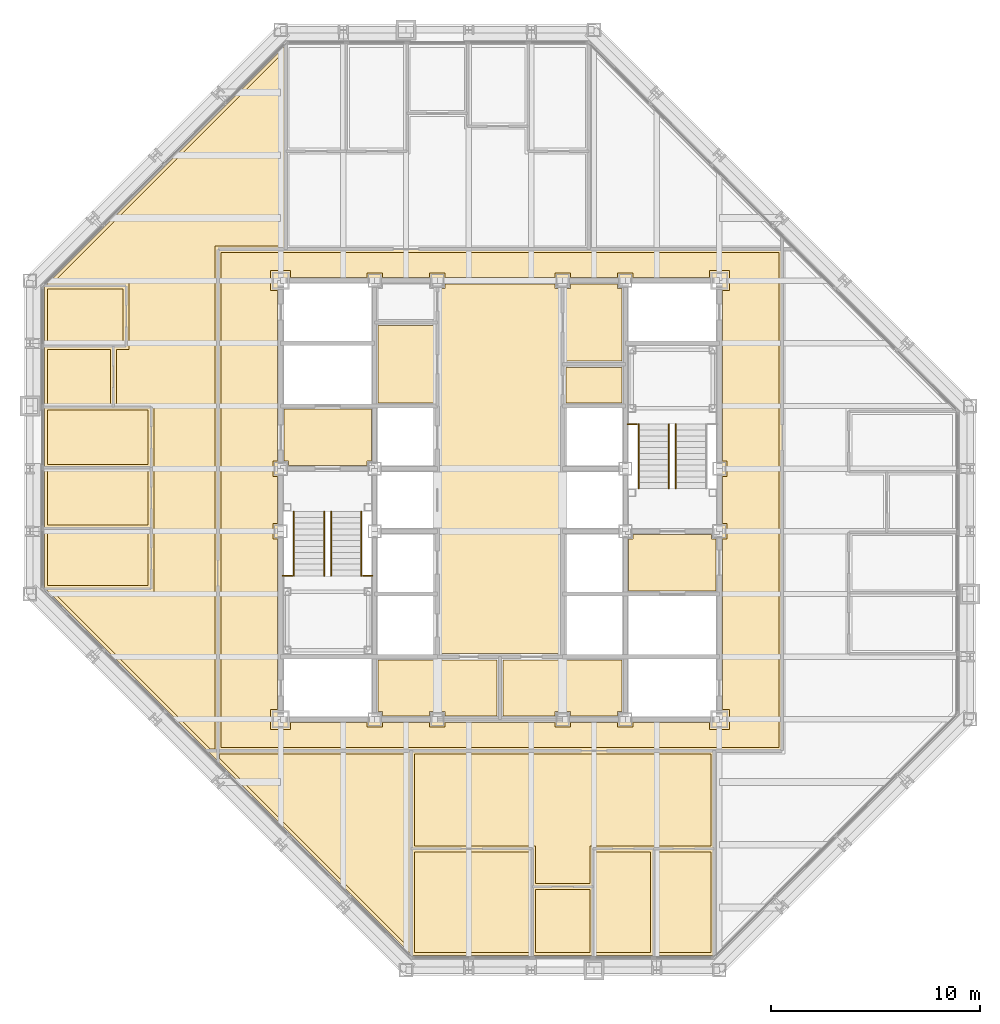
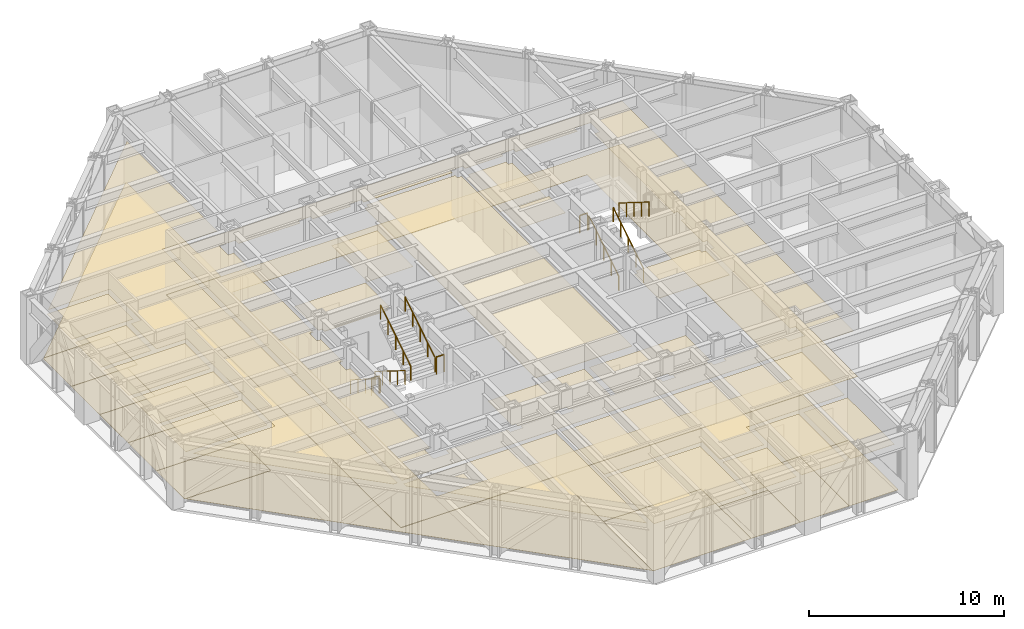
# One storey, part 15 of 16: 33 coverings, 10 railings.
"""IFC4 building model written with IfcOpenShell, lengths in metres."""

from ifc_helpers import new_model, si_unit, direction, frame, origin, origin_2d, place, context, subcontext, project, spatial, polyline, circle, outline, extrude, material, layer, layer_set, type_object, element, save


model = new_model("IFC4")

# Units and contexts
model_context = context("Model", 3, precision=1e-05, world=origin(), true_north=direction((0.0, 1.0)))
body_context = subcontext(model_context, "Body", "Model", "MODEL_VIEW")
ifc_project = project(units=[si_unit("LENGTHUNIT", "METRE"), si_unit("AREAUNIT", "SQUARE_METRE"), si_unit("VOLUMEUNIT", "CUBIC_METRE"), si_unit("PLANEANGLEUNIT", "RADIAN"), si_unit("MASSUNIT", "GRAM", prefix="KILO")], contexts=[model_context])

# Site, building, storey
site_placement = place(None, origin())
site = spatial("IfcSite", under=ifc_project, at=site_placement, CompositionType="ELEMENT")
building_placement = place(site_placement, origin())
building = spatial("IfcBuilding", under=site, at=building_placement, Name="Chuquiago Exchange Tower", CompositionType="ELEMENT")
storey_placement = place(building_placement, frame((0.0, 0.0, 201.300048828125)))
storey = spatial("IfcBuildingStorey", under=building, at=storey_placement, Name="L44", CompositionType="ELEMENT", Elevation=201.300048828125)

# Coverings
ifc_material_1 = material(Name="Mineral fibre tile, 600 x 600, on pale metal grid", Category="mineral fibre")
ifc_layer_1 = layer(ifc_material_1, 0.02001953125)
ifc_layer_set_1 = layer_set([ifc_layer_1], Name="CL1 suspended tile ceiling 20")
covering_type_1 = type_object("IfcCoveringType", Name="CL1 suspended tile ceiling 20", PredefinedType="CEILING", material=ifc_layer_set_1)
covering_1_placement = place(storey_placement, frame((0.0, 0.0, 2.800048828125)))
element("IfcCovering", 1, at=covering_1_placement, inside=storey, type_object=covering_type_1, Name="Ceiling Meeting room", PredefinedType="CEILING", context=body_context, shape_type="SweptSolid", body=[
    extrude(outline(polyline([(18.3984375, 5.64990234375), (23.899658203125, 5.64990234375), (23.899658203125, 0.85009765625), (18.3984375, 0.85009765625), (18.3984375, 5.64990234375)])), origin(), (0.0, 0.0, 1.0), 0.02001953125),
])
covering_2_placement = place(storey_placement, frame((0.0, 0.0, 2.800048828125)))
element("IfcCovering", 2, at=covering_2_placement, inside=storey, type_object=covering_type_1, Name="Ceiling Focus room", PredefinedType="CEILING", context=body_context, shape_type="SweptSolid", body=[
    extrude(outline(polyline([(24.19970703125, 3.85009765625), (26.80029296875, 3.85009765625), (26.80029296875, 0.85009765625), (24.19970703125, 0.85009765625), (24.19970703125, 3.85009765625)])), origin(), (0.0, 0.0, 1.0), 0.02001953125),
])
covering_3_placement = place(storey_placement, frame((0.0, 0.0, 2.800048828125)))
element("IfcCovering", 3, at=covering_3_placement, inside=storey, type_object=covering_type_1, Name="Ceiling Office", PredefinedType="CEILING", context=body_context, shape_type="SweptSolid", body=[
    extrude(outline(polyline([(27.100341796875, 5.64990234375), (29.700927734375, 5.64990234375), (29.700927734375, 0.85009765625), (27.100341796875, 0.85009765625), (27.100341796875, 5.64990234375)])), origin(), (0.0, 0.0, 1.0), 0.02001953125),
])
covering_4_placement = place(storey_placement, frame((0.0, 0.0, 2.800048828125)))
element("IfcCovering", 4, at=covering_4_placement, inside=storey, type_object=covering_type_1, Name="Ceiling Office", PredefinedType="CEILING", context=body_context, shape_type="SweptSolid", body=[
    extrude(outline(polyline([(30.0009765625, 0.85009765625), (30.0009765625, 5.64990234375), (32.6015625, 5.64990234375), (32.6015625, 0.85009765625), (30.0009765625, 0.85009765625)])), origin(), (0.0, 0.0, 1.0), 0.02001953125),
])
covering_5_placement = place(storey_placement, frame((0.0, 0.0, 2.800048828125)))
element("IfcCovering", 5, at=covering_5_placement, inside=storey, type_object=covering_type_1, Name="Ceiling Meeting room", PredefinedType="CEILING", context=body_context, shape_type="SweptSolid", body=[
    extrude(outline(polyline([(0.85009765625, 20.9990234375), (5.64990234375, 20.9990234375), (5.64990234375, 18.3984375), (0.85009765625, 18.3984375), (0.85009765625, 20.9990234375)])), origin(), (0.0, 0.0, 1.0), 0.02001953125),
])
covering_6_placement = place(storey_placement, frame((0.0, 0.0, 2.800048828125)))
element("IfcCovering", 6, at=covering_6_placement, inside=storey, type_object=covering_type_1, Name="Ceiling Office", PredefinedType="CEILING", context=body_context, shape_type="SweptSolid", body=[
    extrude(outline(polyline([(5.64990234375, 23.899658203125), (5.64990234375, 21.299072265625), (0.85009765625, 21.299072265625), (0.85009765625, 23.899658203125), (5.64990234375, 23.899658203125)])), origin(), (0.0, 0.0, 1.0), 0.02001953125),
])
covering_7_placement = place(storey_placement, frame((0.0, 0.0, 2.800048828125)))
element("IfcCovering", 7, at=covering_7_placement, inside=storey, type_object=covering_type_1, Name="Ceiling Office", PredefinedType="CEILING", context=body_context, shape_type="SweptSolid", body=[
    extrude(outline(polyline([(5.64990234375, 26.80029296875), (5.64990234375, 24.19970703125), (0.85009765625, 24.19970703125), (0.85009765625, 26.80029296875), (5.64990234375, 26.80029296875)])), origin(), (0.0, 0.0, 1.0), 0.02001953125),
])
covering_8_placement = place(storey_placement, frame((0.0, 0.0, 2.800048828125)))
element("IfcCovering", 8, at=covering_8_placement, inside=storey, type_object=covering_type_1, Name="Ceiling Focus room", PredefinedType="CEILING", context=body_context, shape_type="SweptSolid", body=[
    extrude(outline(polyline([(3.85009765625, 29.700927734375), (3.85009765625, 27.100341796875), (0.85009765625, 27.100341796875), (0.85009765625, 29.700927734375), (3.85009765625, 29.700927734375)])), origin(), (0.0, 0.0, 1.0), 0.02001953125),
])
covering_9_placement = place(storey_placement, frame((0.0, 0.0, 2.800048828125)))
element("IfcCovering", 9, at=covering_9_placement, inside=storey, type_object=covering_type_1, Name="Ceiling Pantry", PredefinedType="CEILING", context=body_context, shape_type="SweptSolid", body=[
    extrude(outline(polyline([(4.449951171875, 32.6015625), (4.449951171875, 30.0009765625), (0.85009765625, 30.0009765625), (0.85009765625, 32.6015625), (4.449951171875, 32.6015625)])), origin(), (0.0, 0.0, 1.0), 0.02001953125),
])
covering_10_placement = place(storey_placement, frame((0.0, 0.0, 2.800048828125)))
element("IfcCovering", 10, at=covering_10_placement, inside=storey, type_object=covering_type_1, Name="Ceiling Open office south suite", PredefinedType="CEILING", context=body_context, shape_type="SweptSolid", body=[
    extrude(outline(polyline([(26.80029296875, 5.949951171875), (26.80029296875, 4.14990234375), (24.19970703125, 4.14990234375), (24.19970703125, 5.949951171875), (18.39892578125, 5.949951171875), (18.39892578125, 10.349609375), (32.60107421875, 10.349609375), (32.60107421875, 5.949951171875), (26.80029296875, 5.949951171875)])), origin(), (0.0, 0.0, 1.0), 0.02001953125),
])
covering_11_placement = place(storey_placement, frame((0.0, 0.0, 2.800048828125)))
element("IfcCovering", 11, at=covering_11_placement, inside=storey, type_object=covering_type_1, Name="Ceiling Open office west suite", PredefinedType="CEILING", context=body_context, shape_type="SweptSolid", body=[
    extrude(outline(polyline([(5.949951171875, 18.098388671875), (5.949951171875, 27.100341796875), (4.14990234375, 27.100341796875), (4.14990234375, 29.700927734375), (4.75, 29.700927734375), (4.75, 32.901611328125), (1.103515625, 32.901611328125), (12.097900390625, 43.89599609375), (12.097900390625, 34.650390625), (8.849609375, 34.64990234375), (8.849609375, 10.5849609375), (8.616943359375, 10.5849609375), (1.103515625, 18.098388671875), (5.949951171875, 18.098388671875)])), origin(), (0.0, 0.0, 1.0), 0.02001953125),
])
covering_12_placement = place(storey_placement, frame((0.0, 0.0, 2.800048828125)))
element("IfcCovering", 12, at=covering_12_placement, inside=storey, type_object=covering_type_1, Name="Ceiling Open office west suite", PredefinedType="CEILING", context=body_context, shape_type="SweptSolid", body=[
    extrude(outline(polyline([(18.097900390625, 10.349609375), (18.097900390625, 1.10400390625), (9.0849609375, 10.116943359375), (9.0849609375, 10.35009765625), (18.097900390625, 10.349609375)])), origin(), (0.0, 0.0, 1.0), 0.02001953125),
])
covering_13_placement = place(storey_placement, frame((0.0, 0.0, 2.800048828125)))
element("IfcCovering", 13, at=covering_13_placement, inside=storey, type_object=covering_type_1, Name="Ceiling Tenant corridor", PredefinedType="CEILING", context=body_context, shape_type="SweptSolid", body=[
    extrude(outline(polyline([(9.14990234375, 34.35009765625), (35.85009765625, 34.35009765625), (35.85009765625, 10.64990234375), (9.14990234375, 10.64990234375), (9.14990234375, 34.35009765625)]), holes=[polyline([(11.85009765625, 24.375), (11.625, 24.375), (11.625, 23.625), (11.85009765625, 23.625), (11.85009765625, 21.375), (11.625, 21.375), (11.625, 20.625), (11.85009765625, 20.625), (11.85009765625, 12.47509765625), (11.52490234375, 12.47509765625), (11.52490234375, 11.52490234375), (12.47509765625, 11.52490234375), (12.47509765625, 11.85009765625), (16.125, 11.85009765625), (16.125, 11.625), (16.875, 11.625), (16.875, 11.85009765625), (19.125, 11.85009765625), (19.125, 11.625), (19.875, 11.625), (19.875, 11.85009765625), (25.125, 11.85009765625), (25.125, 11.625), (25.875, 11.625), (25.875, 11.85009765625), (28.125, 11.85009765625), (28.125, 11.625), (28.875, 11.625), (28.875, 11.85009765625), (32.52490234375, 11.85009765625), (32.52490234375, 11.52490234375), (33.47509765625, 11.52490234375), (33.47509765625, 12.47509765625), (33.14990234375, 12.47509765625), (33.14990234375, 20.625), (33.375, 20.625), (33.375, 21.375), (33.14990234375, 21.375), (33.14990234375, 23.625), (33.375, 23.625), (33.375, 24.375), (33.14990234375, 24.375), (33.14990234375, 32.52490234375), (33.47509765625, 32.52490234375), (33.47509765625, 33.47509765625), (32.52490234375, 33.47509765625), (32.52490234375, 33.14990234375), (28.875, 33.14990234375), (28.875, 33.375), (28.125, 33.375), (28.125, 33.14990234375), (25.875, 33.14990234375), (25.875, 33.375), (25.125, 33.375), (25.125, 33.14990234375), (19.875, 33.14990234375), (19.875, 33.375), (19.125, 33.375), (19.125, 33.14990234375), (16.875, 33.14990234375), (16.875, 33.375), (16.125, 33.375), (16.125, 33.14990234375), (12.47509765625, 33.14990234375), (12.47509765625, 33.47509765625), (11.52490234375, 33.47509765625), (11.52490234375, 32.52490234375), (11.85009765625, 32.52490234375), (11.85009765625, 24.375)])]), origin(), (0.0, 0.0, 1.0), 0.02001953125),
])
covering_14_placement = place(storey_placement, frame((0.0, 0.0, 2.800048828125)))
element("IfcCovering", 14, at=covering_14_placement, inside=storey, type_object=covering_type_1, Name="Ceiling First aid room", PredefinedType="CEILING", context=body_context, shape_type="SweptSolid", body=[
    extrude(outline(polyline([(25.64990234375, 27.14990234375), (25.64990234375, 28.85009765625), (28.35009765625, 28.85009765625), (28.35009765625, 27.14990234375), (25.64990234375, 27.14990234375)])), origin(), (0.0, 0.0, 1.0), 0.02001953125),
])
ifc_material_2 = material(Name="Moisture resistant plasterboard on metal frame", Category="gypsum")
ifc_layer_2 = layer(ifc_material_2, 0.014892578125)
ifc_layer_set_2 = layer_set([ifc_layer_2], Name="CL2 moisture resistant ceiling 15")
covering_type_2 = type_object("IfcCoveringType", Name="CL2 moisture resistant ceiling 15", PredefinedType="CEILING", material=ifc_layer_set_2)
covering_15_placement = place(storey_placement, frame((0.0, 0.0, 2.599853515625)))
element("IfcCovering", 15, at=covering_15_placement, inside=storey, type_object=covering_type_2, Name="Ceiling Male WC", PredefinedType="CEILING", context=body_context, shape_type="SweptSolid", body=[
    extrude(outline(polyline([(16.64990234375, 27.14990234375), (16.64990234375, 30.85009765625), (19.35009765625, 30.85009765625), (19.35009765625, 27.14990234375), (16.64990234375, 27.14990234375)])), origin(), (0.0, 0.0, 1.0), 0.01513671875),
])
covering_16_placement = place(storey_placement, frame((0.0, 0.0, 2.599853515625)))
element("IfcCovering", 16, at=covering_16_placement, inside=storey, type_object=covering_type_2, Name="Ceiling Female WC", PredefinedType="CEILING", context=body_context, shape_type="SweptSolid", body=[
    extrude(outline(polyline([(25.64990234375, 29.14990234375), (25.64990234375, 32.625), (25.875, 32.625), (25.875, 32.85009765625), (28.125, 32.85009765625), (28.125, 32.625), (28.35009765625, 32.625), (28.35009765625, 29.14990234375), (25.64990234375, 29.14990234375)])), origin(), (0.0, 0.0, 1.0), 0.01513671875),
])
covering_17_placement = place(storey_placement, frame((0.0, 0.0, 2.599853515625)))
element("IfcCovering", 17, at=covering_17_placement, inside=storey, type_object=covering_type_2, Name="Ceiling Accessible WC", PredefinedType="CEILING", context=body_context, shape_type="SweptSolid", body=[
    extrude(outline(polyline([(25.875, 12.14990234375), (25.875, 12.375), (25.125, 12.375), (25.125, 12.14990234375), (22.64990234375, 12.14990234375), (22.64990234375, 14.85009765625), (28.35009765625, 14.85009765625), (28.35009765625, 12.375), (28.125, 12.375), (28.125, 12.14990234375), (25.875, 12.14990234375)])), origin(), (0.0, 0.0, 1.0), 0.01513671875),
])
covering_18_placement = place(storey_placement, frame((0.0, 0.0, 2.599853515625)))
element("IfcCovering", 18, at=covering_18_placement, inside=storey, type_object=covering_type_2, Name="Ceiling Cleaner", PredefinedType="CEILING", context=body_context, shape_type="SweptSolid", body=[
    extrude(outline(polyline([(19.875, 12.14990234375), (19.875, 12.375), (19.125, 12.375), (19.125, 12.14990234375), (16.875, 12.14990234375), (16.875, 12.375), (16.64990234375, 12.375), (16.64990234375, 14.85009765625), (22.35009765625, 14.85009765625), (22.35009765625, 12.14990234375), (19.875, 12.14990234375)])), origin(), (0.0, 0.0, 1.0), 0.01513671875),
])
ifc_material_3 = material(Name="Pale metal plank ceiling, perforated", Category="aluminium")
ifc_layer_3 = layer(ifc_material_3, 0.030029296875)
ifc_layer_set_3 = layer_set([ifc_layer_3], Name="CL3 metal plank ceiling 30")
covering_type_3 = type_object("IfcCoveringType", Name="CL3 metal plank ceiling 30", PredefinedType="CEILING", material=ifc_layer_set_3)
covering_19_placement = place(storey_placement, frame((0.0, 0.0, 2.800048828125)))
element("IfcCovering", 19, at=covering_19_placement, inside=storey, type_object=covering_type_3, Name="Ceiling Lift lobby", PredefinedType="CEILING", context=body_context, shape_type="SweptSolid", body=[
    extrude(outline(polyline([(19.64990234375, 15.14990234375), (19.64990234375, 32.625), (19.875, 32.625), (19.875, 32.85009765625), (25.125, 32.85009765625), (25.125, 32.625), (25.35009765625, 32.625), (25.35009765625, 15.14990234375), (19.64990234375, 15.14990234375)])), origin(), (0.0, 0.0, 1.0), 0.02978515625),
])
covering_20_placement = place(storey_placement, frame((0.0, 0.0, 2.800048828125)))
element("IfcCovering", 20, at=covering_20_placement, inside=storey, type_object=covering_type_3, Name="Ceiling Firefighting lobby", PredefinedType="CEILING", context=body_context, shape_type="SweptSolid", body=[
    extrude(outline(polyline([(12.375, 24.14990234375), (12.375, 24.375), (12.14990234375, 24.375), (12.14990234375, 26.85009765625), (16.35009765625, 26.85009765625), (16.35009765625, 24.375), (16.125, 24.375), (16.125, 24.14990234375), (12.375, 24.14990234375)])), origin(), (0.0, 0.0, 1.0), 0.02978515625),
])
covering_21_placement = place(storey_placement, frame((0.0, 0.0, 2.800048828125)))
element("IfcCovering", 21, at=covering_21_placement, inside=storey, type_object=covering_type_3, Name="Ceiling Firefighting lobby", PredefinedType="CEILING", context=body_context, shape_type="SweptSolid", body=[
    extrude(outline(polyline([(28.64990234375, 18.14990234375), (28.64990234375, 20.625), (28.875, 20.625), (28.875, 20.85009765625), (32.625, 20.85009765625), (32.625, 20.625), (32.85009765625, 20.625), (32.85009765625, 18.14990234375), (28.64990234375, 18.14990234375)])), origin(), (0.0, 0.0, 1.0), 0.02978515625),
])
ifc_material_4 = material(Name="Carpet tile, 500 x 500, on the floor slab", Category="textile")
ifc_layer_4 = layer(ifc_material_4, 0.010009765625)
ifc_layer_set_4 = layer_set([ifc_layer_4], Name="FL1 carpet tile 10")
covering_type_4 = type_object("IfcCoveringType", Name="FL1 carpet tile 10", PredefinedType="FLOORING", material=ifc_layer_set_4)
covering_22_placement = place(storey_placement, origin())
element("IfcCovering", 22, at=covering_22_placement, inside=storey, type_object=covering_type_4, Name="Floor finish Meeting room", PredefinedType="FLOORING", context=body_context, shape_type="SweptSolid", body=[
    extrude(outline(polyline([(18.289794921875, 0.699951171875), (18.24853515625, 0.741455078125), (18.24853515625, 5.800048828125), (24.0498046875, 5.800048828125), (24.0498046875, 0.699951171875), (18.289794921875, 0.699951171875)])), origin(), (0.0, 0.0, 1.0), 0.010009765625),
])
covering_23_placement = place(storey_placement, origin())
element("IfcCovering", 23, at=covering_23_placement, inside=storey, type_object=covering_type_4, Name="Floor finish Focus room", PredefinedType="FLOORING", context=body_context, shape_type="SweptSolid", body=[
    extrude(outline(polyline([(24.0498046875, 0.699951171875), (24.0498046875, 4.0), (26.9501953125, 4.0), (26.9501953125, 0.699951171875), (24.0498046875, 0.699951171875)])), origin(), (0.0, 0.0, 1.0), 0.010009765625),
])
covering_24_placement = place(storey_placement, origin())
element("IfcCovering", 24, at=covering_24_placement, inside=storey, type_object=covering_type_4, Name="Floor finish Office", PredefinedType="FLOORING", context=body_context, shape_type="SweptSolid", body=[
    extrude(outline(polyline([(26.9501953125, 0.699951171875), (26.9501953125, 5.800048828125), (29.850830078125, 5.800048828125), (29.850830078125, 0.699951171875), (26.9501953125, 0.699951171875)])), origin(), (0.0, 0.0, 1.0), 0.010009765625),
])
covering_25_placement = place(storey_placement, origin())
element("IfcCovering", 25, at=covering_25_placement, inside=storey, type_object=covering_type_4, Name="Floor finish Office", PredefinedType="FLOORING", context=body_context, shape_type="SweptSolid", body=[
    extrude(outline(polyline([(32.710205078125, 0.699951171875), (29.850830078125, 0.699951171875), (29.850830078125, 5.800048828125), (32.75146484375, 5.800048828125), (32.75146484375, 0.741455078125), (32.710205078125, 0.699951171875)])), origin(), (0.0, 0.0, 1.0), 0.010009765625),
])
covering_26_placement = place(storey_placement, origin())
element("IfcCovering", 26, at=covering_26_placement, inside=storey, type_object=covering_type_4, Name="Floor finish Meeting room", PredefinedType="FLOORING", context=body_context, shape_type="SweptSolid", body=[
    extrude(outline(polyline([(0.699951171875, 21.149169921875), (5.800048828125, 21.149169921875), (5.800048828125, 18.24853515625), (0.741455078125, 18.24853515625), (0.699951171875, 18.289794921875), (0.699951171875, 21.149169921875)])), origin(), (0.0, 0.0, 1.0), 0.010009765625),
])
covering_27_placement = place(storey_placement, origin())
element("IfcCovering", 27, at=covering_27_placement, inside=storey, type_object=covering_type_4, Name="Floor finish Office", PredefinedType="FLOORING", context=body_context, shape_type="SweptSolid", body=[
    extrude(outline(polyline([(0.699951171875, 24.0498046875), (5.800048828125, 24.0498046875), (5.800048828125, 21.149169921875), (0.699951171875, 21.149169921875), (0.699951171875, 24.0498046875)])), origin(), (0.0, 0.0, 1.0), 0.010009765625),
])
covering_28_placement = place(storey_placement, origin())
element("IfcCovering", 28, at=covering_28_placement, inside=storey, type_object=covering_type_4, Name="Floor finish Office", PredefinedType="FLOORING", context=body_context, shape_type="SweptSolid", body=[
    extrude(outline(polyline([(0.699951171875, 26.9501953125), (5.800048828125, 26.9501953125), (5.800048828125, 24.0498046875), (0.699951171875, 24.0498046875), (0.699951171875, 26.9501953125)])), origin(), (0.0, 0.0, 1.0), 0.010009765625),
])
covering_29_placement = place(storey_placement, origin())
element("IfcCovering", 29, at=covering_29_placement, inside=storey, type_object=covering_type_4, Name="Floor finish Focus room", PredefinedType="FLOORING", context=body_context, shape_type="SweptSolid", body=[
    extrude(outline(polyline([(0.699951171875, 29.850830078125), (4.0, 29.850830078125), (4.0, 26.9501953125), (0.699951171875, 26.9501953125), (0.699951171875, 29.850830078125)])), origin(), (0.0, 0.0, 1.0), 0.010009765625),
])
covering_30_placement = place(storey_placement, origin())
element("IfcCovering", 30, at=covering_30_placement, inside=storey, type_object=covering_type_4, Name="Floor finish Open office south suite", PredefinedType="FLOORING", context=body_context, shape_type="SweptSolid", body=[
    extrude(outline(polyline([(32.7509765625, 5.800048828125), (26.9501953125, 5.800048828125), (26.9501953125, 4.0), (24.0498046875, 4.0), (24.0498046875, 5.800048828125), (18.2490234375, 5.800048828125), (18.2490234375, 10.49951171875), (32.7509765625, 10.49951171875), (32.7509765625, 5.800048828125)])), origin(), (0.0, 0.0, 1.0), 0.010009765625),
])
covering_31_placement = place(storey_placement, origin())
element("IfcCovering", 31, at=covering_31_placement, inside=storey, type_object=covering_type_4, Name="Floor finish Open office west suite", PredefinedType="FLOORING", context=body_context, shape_type="SweptSolid", body=[
    extrude(outline(polyline([(0.741455078125, 18.24853515625), (5.800048828125, 18.24853515625), (5.800048828125, 26.9501953125), (4.0, 26.9501953125), (4.0, 29.850830078125), (4.60009765625, 29.850830078125), (4.60009765625, 32.75146484375), (0.741455078125, 32.75146484375), (12.248046875, 44.258056640625), (12.248046875, 34.50048828125), (8.99951171875, 34.5), (8.99951171875, 10.5), (18.248046875, 10.49951171875), (18.248046875, 0.741943359375), (0.741455078125, 18.24853515625)])), origin(), (0.0, 0.0, 1.0), 0.010009765625),
])
ifc_material_5 = material(Name="Porcelain floor tile, 600 x 600, on adhesive bed", Category="ceramic")
ifc_layer_5 = layer(ifc_material_5, 0.014892578125)
ifc_layer_set_5 = layer_set([ifc_layer_5], Name="FL2 porcelain tile 15")
covering_type_5 = type_object("IfcCoveringType", Name="FL2 porcelain tile 15", PredefinedType="FLOORING", material=ifc_layer_set_5)
covering_32_placement = place(storey_placement, origin())
element("IfcCovering", 32, at=covering_32_placement, inside=storey, type_object=covering_type_5, Name="Floor finish Pantry", PredefinedType="FLOORING", context=body_context, shape_type="SweptSolid", body=[
    extrude(outline(polyline([(0.699951171875, 32.710205078125), (0.741455078125, 32.75146484375), (4.60009765625, 32.75146484375), (4.60009765625, 29.850830078125), (0.699951171875, 29.850830078125), (0.699951171875, 32.710205078125)])), origin(), (0.0, 0.0, 1.0), 0.014892578125),
])
covering_33_placement = place(storey_placement, origin())
element("IfcCovering", 33, at=covering_33_placement, inside=storey, type_object=covering_type_5, Name="Floor finish Tenant corridor", PredefinedType="FLOORING", context=body_context, shape_type="SweptSolid", body=[
    extrude(outline(polyline([(9.0, 10.5), (9.0, 34.5), (36.0, 34.5), (36.0, 10.5), (9.0, 10.5)]), holes=[polyline([(12.0, 33.0), (12.0, 12.0), (33.0, 12.0), (33.0, 33.0), (12.0, 33.0)])]), origin(), (0.0, 0.0, 1.0), 0.014892578125),
])

# Railings
ifc_material_6 = material(Name="Pale metal guard with safety glass infill", Category="glass")
railing_type_1 = type_object("IfcRailingType", Name="GR1 guard 1100", PredefinedType="GUARDRAIL", material=ifc_material_6)
for number, where, name in (
    (34, (12.10009765625, 18.8701171875, 2.099853515625), "Guard ST1 L44 landing 2"),
    (35, (15.945068359375, 18.8701171875, 2.099853515625), "Guard ST1 L44 landing 2"),
    (36, (28.60009765625, 26.1298828125, 2.099853515625), "Guard ST2 L44 landing 2"),
):
    element("IfcRailing", number, at=place(storey_placement, frame(where)), inside=storey, type_object=railing_type_1, Name=name, PredefinedType="GUARDRAIL", context=body_context, shape_type="SweptSolid", body=[
        extrude(circle(Radius=0.02392578125, at=origin_2d()), frame((0.0, 0.0, 1.076171875), z_axis=(1.0, 0.0, 0.0), x_axis=(0.0, 1.0, 0.0)), (0.0, 0.0, 1.0), 0.454833984375),
        extrude(circle(Radius=0.02099609375, at=origin_2d()), origin(), (0.0, 0.0, 1.0), 1.052001953125),
        extrude(circle(Radius=0.02099609375, at=origin_2d()), frame((0.454833984375, 0.0, 0.0)), (0.0, 0.0, 1.0), 1.052001953125),
    ])
ifc_material_7 = material(Name="Pale metal handrail", Category="steel")
railing_type_2 = type_object("IfcRailingType", Name="HR1 handrail 900", PredefinedType="HANDRAIL", material=ifc_material_7)
for number, where, name in (
    (37, (12.635009765625, 21.949951171875, 0.175048828125), "Handrail ST1 L44 flight 1"),
    (38, (14.0849609375, 21.949951171875, 0.175048828125), "Handrail ST1 L44 flight 1"),
):
    element("IfcRailing", number, at=place(storey_placement, frame(where)), inside=storey, type_object=railing_type_2, Name=name, PredefinedType="HANDRAIL", context=body_context, shape_type="SweptSolid", body=[
        extrude(circle(Radius=0.02392578125, at=origin_2d()), frame((0.0, 0.0, 0.8759765625), z_axis=(0.0, -0.848009633417, 0.529980812513), x_axis=(1.0, 0.0, 0.0)), (0.0, 0.0, 1.0), 3.6318359375),
        extrude(circle(Radius=0.02099609375, at=origin_2d()), origin(), (0.0, 0.0, 1.0), 0.851806640625),
        extrude(circle(Radius=0.02099609375, at=origin_2d()), frame((0.0, -0.77001953125, 0.481201171875)), (0.0, 0.0, 1.0), 0.851806640625),
        extrude(circle(Radius=0.02099609375, at=origin_2d()), frame((0.0, -1.5400390625, 0.96240234375)), (0.0, 0.0, 1.0), 0.851806640625),
        extrude(circle(Radius=0.02099609375, at=origin_2d()), frame((0.0, -2.309814453125, 1.443603515625)), (0.0, 0.0, 1.0), 0.851806640625),
        extrude(circle(Radius=0.02099609375, at=origin_2d()), frame((0.0, -3.079833984375, 1.9248046875)), (0.0, 0.0, 1.0), 0.851806640625),
    ])
for number, where, name in (
    (39, (15.864990234375, 18.8701171875, 2.27490234375), "Handrail ST1 L44 flight 2"),
    (40, (14.4150390625, 18.8701171875, 2.27490234375), "Handrail ST1 L44 flight 2"),
):
    element("IfcRailing", number, at=place(storey_placement, frame(where)), inside=storey, type_object=railing_type_2, Name=name, PredefinedType="HANDRAIL", context=body_context, shape_type="SweptSolid", body=[
        extrude(circle(Radius=0.02392578125, at=origin_2d()), frame((0.0, 0.0, 0.8759765625), z_axis=(0.0, 0.847979421464, 0.530029150871), x_axis=(-1.0, 0.0, 0.0)), (0.0, 0.0, 1.0), 3.632080078125),
        extrude(circle(Radius=0.02099609375, at=origin_2d()), origin(), (0.0, 0.0, 1.0), 0.851806640625),
        extrude(circle(Radius=0.02099609375, at=origin_2d()), frame((0.0, 0.77001953125, 0.481201171875)), (0.0, 0.0, 1.0), 0.851806640625),
        extrude(circle(Radius=0.02099609375, at=origin_2d()), frame((0.0, 1.5400390625, 0.96240234375)), (0.0, 0.0, 1.0), 0.851806640625),
        extrude(circle(Radius=0.02099609375, at=origin_2d()), frame((0.0, 2.309814453125, 1.44384765625)), (0.0, 0.0, 1.0), 0.851806640625),
        extrude(circle(Radius=0.02099609375, at=origin_2d()), frame((0.0, 3.079833984375, 1.925048828125)), (0.0, 0.0, 1.0), 0.851806640625),
    ])
for number, where, name in (
    (41, (30.5849609375, 23.050048828125, 0.175048828125), "Handrail ST2 L44 flight 1"),
    (42, (29.135009765625, 23.050048828125, 0.175048828125), "Handrail ST2 L44 flight 1"),
):
    element("IfcRailing", number, at=place(storey_placement, frame(where)), inside=storey, type_object=railing_type_2, Name=name, PredefinedType="HANDRAIL", context=body_context, shape_type="SweptSolid", body=[
        extrude(circle(Radius=0.02392578125, at=origin_2d()), frame((0.0, 0.0, 0.8759765625), z_axis=(0.0, 0.848009633417, 0.529980812513), x_axis=(-1.0, 0.0, 0.0)), (0.0, 0.0, 1.0), 3.6318359375),
        extrude(circle(Radius=0.02099609375, at=origin_2d()), origin(), (0.0, 0.0, 1.0), 0.851806640625),
        extrude(circle(Radius=0.02099609375, at=origin_2d()), frame((0.0, 0.77001953125, 0.481201171875)), (0.0, 0.0, 1.0), 0.851806640625),
        extrude(circle(Radius=0.02099609375, at=origin_2d()), frame((0.0, 1.5400390625, 0.96240234375)), (0.0, 0.0, 1.0), 0.851806640625),
        extrude(circle(Radius=0.02099609375, at=origin_2d()), frame((0.0, 2.309814453125, 1.443603515625)), (0.0, 0.0, 1.0), 0.851806640625),
        extrude(circle(Radius=0.02099609375, at=origin_2d()), frame((0.0, 3.079833984375, 1.9248046875)), (0.0, 0.0, 1.0), 0.851806640625),
    ])
railing_placement = place(storey_placement, frame((30.9150390625, 26.1298828125, 2.27490234375)))
element("IfcRailing", 43, at=railing_placement, inside=storey, type_object=railing_type_2, Name="Handrail ST2 L44 flight 2", PredefinedType="HANDRAIL", context=body_context, shape_type="SweptSolid", body=[
    extrude(circle(Radius=0.02392578125, at=origin_2d()), frame((0.0, 0.0, 0.8759765625), z_axis=(0.0, -0.847979421464, 0.530029150871), x_axis=(1.0, 0.0, 0.0)), (0.0, 0.0, 1.0), 3.632080078125),
    extrude(circle(Radius=0.02099609375, at=origin_2d()), origin(), (0.0, 0.0, 1.0), 0.851806640625),
    extrude(circle(Radius=0.02099609375, at=origin_2d()), frame((0.0, -0.77001953125, 0.481201171875)), (0.0, 0.0, 1.0), 0.851806640625),
    extrude(circle(Radius=0.02099609375, at=origin_2d()), frame((0.0, -1.5400390625, 0.96240234375)), (0.0, 0.0, 1.0), 0.851806640625),
    extrude(circle(Radius=0.02099609375, at=origin_2d()), frame((0.0, -2.309814453125, 1.44384765625)), (0.0, 0.0, 1.0), 0.851806640625),
    extrude(circle(Radius=0.02099609375, at=origin_2d()), frame((0.0, -3.079833984375, 1.925048828125)), (0.0, 0.0, 1.0), 0.851806640625),
])

save(model, "model.ifc")
